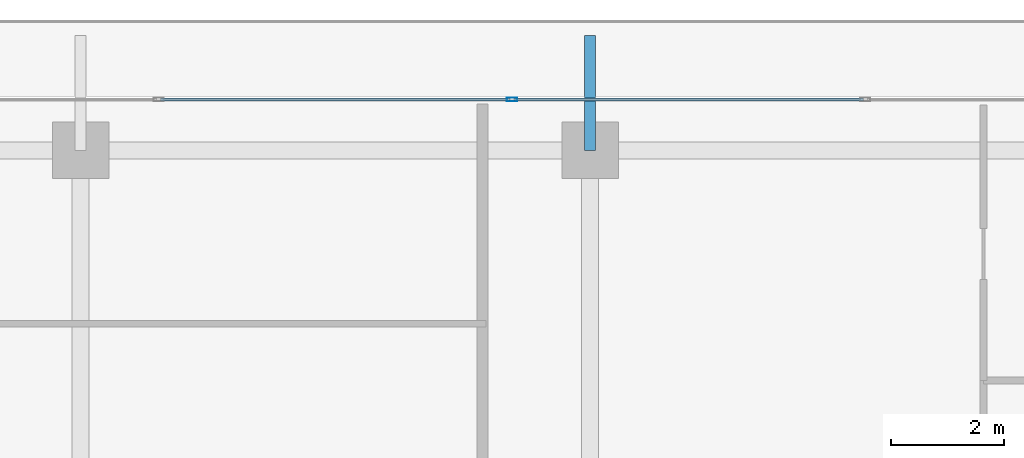
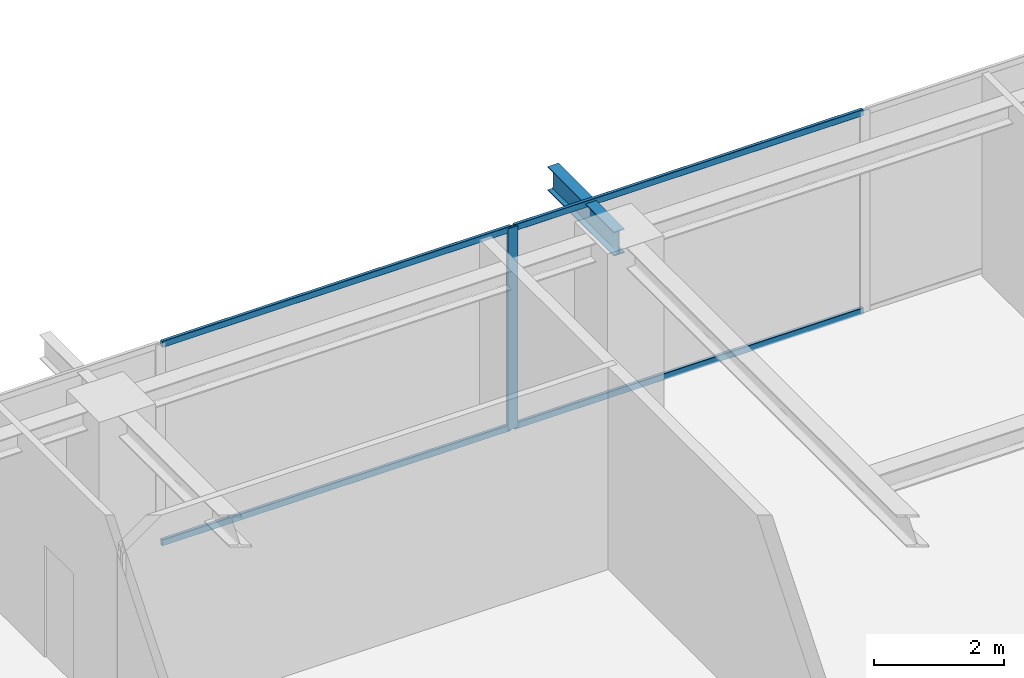
# One storey, part 24 of 42: 5 members, 1 beam, 1 element without a shape of its own.
"""IFC4 building model written with IfcOpenShell, lengths in metres."""

from ifc_helpers import new_model, si_unit, direction, frame, origin, origin_2d, place, context, subcontext, project, spatial, hollow_rectangle, i_section, extrude, source, transform, mapped, material, layer, layer_set, material_profile, profile_set, type_object, element, aggregate, save


model = new_model("IFC4")

# Units and contexts
model_context = context("Model", 3, precision=1e-05, world=origin(), true_north=direction((0.0, 1.0)))
body_context = subcontext(model_context, "Body", "Model", "MODEL_VIEW")
ifc_project = project(units=[si_unit("LENGTHUNIT", "METRE"), si_unit("AREAUNIT", "SQUARE_METRE"), si_unit("VOLUMEUNIT", "CUBIC_METRE"), si_unit("PLANEANGLEUNIT", "RADIAN"), si_unit("MASSUNIT", "GRAM", prefix="KILO")], contexts=[model_context])

# Site, building, storey
site_placement = place(None, origin())
site = spatial("IfcSite", under=ifc_project, at=site_placement, CompositionType="ELEMENT")
building_placement = place(site_placement, origin())
building = spatial("IfcBuilding", under=site, at=building_placement, Name="Serunith Strait Residences", CompositionType="ELEMENT")
storey_placement = place(building_placement, frame((0.0, 0.0, 297.5)))
storey = spatial("IfcBuildingStorey", under=building, at=storey_placement, Name="L74", CompositionType="ELEMENT", Elevation=297.5)

# Beam
ifc_material_1 = material(Name="Steel S355J2", Category="steel")
ifc_material_profile_1 = material_profile(ifc_material_1, i_section(OverallWidth=0.18994140625, OverallDepth=0.449951171875, WebThickness=0.009521484375, FlangeThickness=0.0146484375, FilletRadius=0.02099609375, at=origin_2d()), Name="IPE 450")
ifc_profile_set_1 = profile_set([ifc_material_profile_1], Name="Steel S355J2")
beam_type = type_object("IfcBeamType", Name="BM-IPE450", PredefinedType="JOIST", material=ifc_profile_set_1)
shared_shape_1 = source(origin(), body_context, "Body", "SweptSolid", [
    extrude(i_section(OverallWidth=0.18994140625, OverallDepth=0.449951171875, WebThickness=0.009521484375, FlangeThickness=0.0146484375, FilletRadius=0.02099609375, at=origin_2d()), origin(), (0.0, 0.0, 1.0), 2.02978515625),
])
beam_placement = place(storey_placement, frame((36.89990234375, 47.10009765625, 3.531982421875), z_axis=(0.0, 1.0, 0.0), x_axis=(-1.0, 0.0, 0.0)))
element("IfcBeam", 1, at=beam_placement, inside=storey, type_object=beam_type, Name="L75 Cantilevered Balcony Rib TC-N3", PredefinedType="JOIST", context=body_context, shape_type="MappedRepresentation", body=[
    mapped(shared_shape_1, transform((0.0, 0.0, 0.0), scale=1.0)),
])

# Curtain wall, members
ifc_material_2 = material(Name="Brushed Stainless-Silver Aluminium", Category="aluminium")
ifc_layer = layer(ifc_material_2, 0.199951171875, Name="Brushed Stainless-Silver Aluminium")
ifc_layer_set = layer_set([ifc_layer], Name="Brushed Stainless-Silver Aluminium")
curtain_wall_type = type_object("IfcCurtainWallType", Name="CW-SYS5", PredefinedType="NOTDEFINED", material=ifc_layer_set)
curtain_wall_placement = place(storey_placement, origin())
curtain_wall = element("IfcCurtainWall", 2, at=curtain_wall_placement, inside=storey, type_object=curtain_wall_type, Name="L74 N Unitised Fritted Curtain Wall", PredefinedType="NOTDEFINED")
ifc_material_profile_2 = material_profile(ifc_material_2, hollow_rectangle(XDim=0.06005859375, YDim=0.1201171875, WallThickness=0.00341796875, InnerFilletRadius=0.00537109375, OuterFilletRadius=0.0087890625, at=origin_2d()), Name="ALU 120x60x3.5")
ifc_profile_set_2 = profile_set([ifc_material_profile_2], Name="Brushed Stainless-Silver Aluminium")
member_type_1 = type_object("IfcMemberType", Name="CW-SYS5-TRAN", PredefinedType="USERDEFINED", material=ifc_profile_set_2)
shared_shape_2 = source(origin(), body_context, "Body", "SweptSolid", [
    extrude(hollow_rectangle(XDim=0.06005859375, YDim=0.1201171875, WallThickness=0.00341796875, InnerFilletRadius=0.00537109375, OuterFilletRadius=0.0087890625, at=origin_2d()), origin(), (0.0, 0.0, 1.0), 6.175048828125),
])
member_1_placement = place(storey_placement, frame((41.7275390625, 48.0, 0.030029296875), z_axis=(-1.0, 0.0, 0.0), x_axis=(0.0, -1.0, 0.0)))
member_1 = element("IfcMember", 3, at=member_1_placement, type_object=member_type_1, Name="CW-5 transom 2.1", ObjectType="TRANSOM", PredefinedType="USERDEFINED", context=body_context, shape_type="MappedRepresentation", body=[
    mapped(shared_shape_2, transform((0.0, 0.0, 0.0), scale=1.0)),
])
member_2_placement = place(storey_placement, frame((41.7275390625, 48.0, 3.7451171875), z_axis=(-1.0, 0.0, 0.0), x_axis=(0.0, -1.0, 0.0)))
member_2 = element("IfcMember", 4, at=member_2_placement, type_object=member_type_1, Name="CW-5 transom 2.2", ObjectType="TRANSOM", PredefinedType="USERDEFINED", context=body_context, shape_type="MappedRepresentation", body=[
    mapped(shared_shape_2, transform((0.0, 0.0, 0.0), scale=1.0)),
])
member_3_placement = place(storey_placement, frame((35.487548828125, 48.0, 0.030029296875), z_axis=(-1.0, 0.0, 0.0), x_axis=(0.0, -1.0, 0.0)))
member_3 = element("IfcMember", 5, at=member_3_placement, type_object=member_type_1, Name="CW-5 transom 3.1", ObjectType="TRANSOM", PredefinedType="USERDEFINED", context=body_context, shape_type="MappedRepresentation", body=[
    mapped(shared_shape_2, transform((0.0, 0.0, 0.0), scale=1.0)),
])
member_4_placement = place(storey_placement, frame((35.487548828125, 48.0, 3.7451171875), z_axis=(-1.0, 0.0, 0.0), x_axis=(0.0, -1.0, 0.0)))
member_4 = element("IfcMember", 6, at=member_4_placement, type_object=member_type_1, Name="CW-5 transom 3.2", ObjectType="TRANSOM", PredefinedType="USERDEFINED", context=body_context, shape_type="MappedRepresentation", body=[
    mapped(shared_shape_2, transform((0.0, 0.0, 0.0), scale=1.0)),
])
ifc_material_profile_3 = material_profile(ifc_material_2, hollow_rectangle(XDim=0.06494140625, YDim=0.179931640625, WallThickness=0.00341796875, InnerFilletRadius=0.00537109375, OuterFilletRadius=0.0087890625, at=origin_2d()), Name="ALU 180x65x3.5")
ifc_profile_set_3 = profile_set([ifc_material_profile_3], Name="Brushed Stainless-Silver Aluminium")
member_type_2 = type_object("IfcMemberType", Name="CW-SYS5-MULL", PredefinedType="MULLION", material=ifc_profile_set_3)
shared_shape_3 = source(origin(), body_context, "Body", "SweptSolid", [
    extrude(hollow_rectangle(XDim=0.06494140625, YDim=0.179931640625, WallThickness=0.00341796875, InnerFilletRadius=0.00537109375, OuterFilletRadius=0.0087890625, at=origin_2d()), origin(), (0.0, 0.0, 1.0), 3.77490234375),
])
member_5_placement = place(storey_placement, frame((35.52001953125, 48.0, 0.0), z_axis=(0.0, 0.0, 1.0), x_axis=(0.0, -1.0, 0.0)))
member_5 = element("IfcMember", 7, at=member_5_placement, type_object=member_type_2, Name="CW-5 mullion 3", PredefinedType="MULLION", context=body_context, shape_type="MappedRepresentation", body=[
    mapped(shared_shape_3, transform((0.0, 0.0, 0.0), scale=1.0)),
])
aggregate(curtain_wall, [member_5, member_1, member_2, member_3, member_4])

save(model, "model.ifc")
